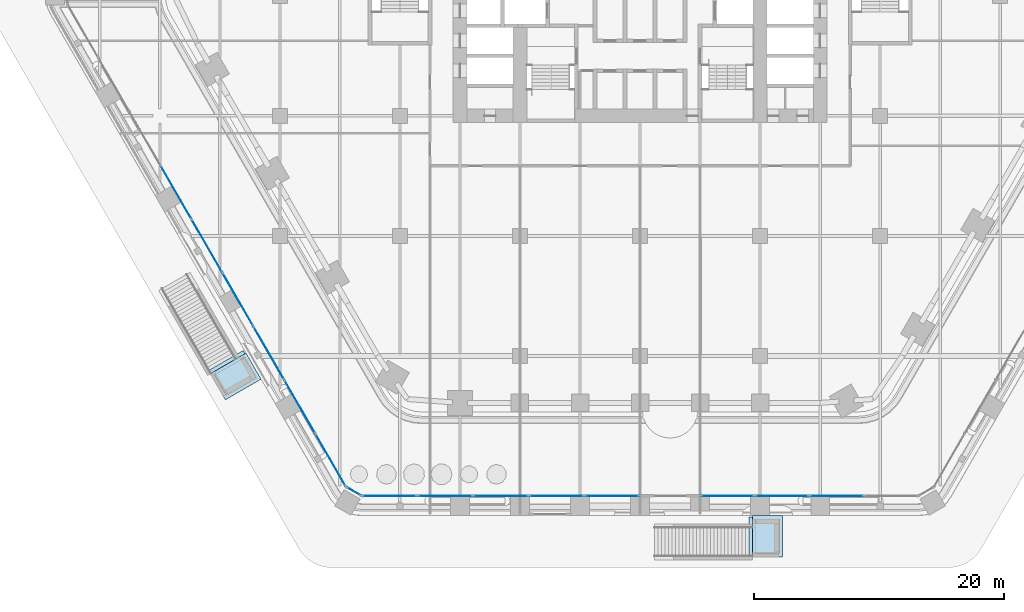
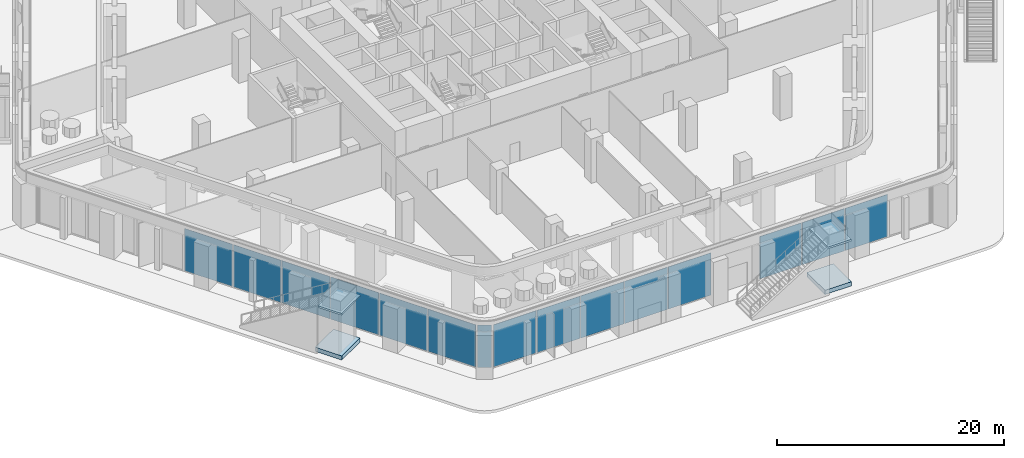
# One storey, part 11 of 34: 15 plates, 4 slabs, 6 elements without a shape of their own.
"""IFC4 building model written with IfcOpenShell, lengths in metres."""

from ifc_helpers import new_model, si_unit, direction, frame, origin, origin_2d, place, context, subcontext, project, spatial, polyline, rectangle, outline, extrude, material, layer, layer_set, type_object, element, aggregate, save


model = new_model("IFC4")

# Units and contexts
model_context = context("Model", 3, precision=1e-05, world=origin(), true_north=direction((0.0, 1.0)))
body_context = subcontext(model_context, "Body", "Model", "MODEL_VIEW")
ifc_project = project(units=[si_unit("LENGTHUNIT", "METRE"), si_unit("AREAUNIT", "SQUARE_METRE"), si_unit("VOLUMEUNIT", "CUBIC_METRE"), si_unit("PLANEANGLEUNIT", "RADIAN"), si_unit("MASSUNIT", "GRAM", prefix="KILO")], contexts=[model_context])

# Site, building, storey
site_placement = place(None, origin())
site = spatial("IfcSite", under=ifc_project, at=site_placement, CompositionType="ELEMENT")
building_placement = place(site_placement, origin())
building = spatial("IfcBuilding", under=site, at=building_placement, Name="Kolab Exchange Tower", CompositionType="ELEMENT")
storey_placement = place(building_placement, frame((0.0, 0.0, 12.39990234375)))
storey = spatial("IfcBuildingStorey", under=building, at=storey_placement, Name="L02", CompositionType="ELEMENT", Elevation=12.39990234375)

# Stair, slab
ifc_material_1 = material(Name="Concrete C40/50", Category="concrete")
stair_type = type_object("IfcStairType", Name="GARDEN STAIR RUN A", PredefinedType="STRAIGHT_RUN_STAIR", material=ifc_material_1)
stair_1_placement = place(storey_placement, origin())
stair_1 = element("IfcStair", 1, at=stair_1_placement, inside=storey, type_object=stair_type, Name="Garden stair GS4 run A", PredefinedType="STRAIGHT_RUN_STAIR")
ifc_layer_1 = layer(ifc_material_1, 0.199951171875)
ifc_layer_set_1 = layer_set([ifc_layer_1], Name="Concrete C40/50")
slab_type_1 = type_object("IfcSlabType", Name="GARDEN STAIR LANDING 200", PredefinedType="LANDING", material=ifc_layer_set_1)
slab_1_placement = place(storey_placement, frame((0.0, 0.0, 4.800048828125)))
slab_1 = element("IfcSlab", 2, at=slab_1_placement, type_object=slab_type_1, Name="GS4 landing 1", PredefinedType="LANDING", context=body_context, shape_type="SweptSolid", body=[
    extrude(outline(polyline([(11.39990234375, -41.5693359375), (8.9951171875, -41.5693359375), (8.9951171875, -44.869140625), (11.39990234375, -44.869140625), (11.39990234375, -41.5693359375)])), origin(), (0.0, 0.0, 1.0), 0.199951171875),
])
aggregate(stair_1, [slab_1])

stair_2_placement = place(storey_placement, origin())
stair_2 = element("IfcStair", 3, at=stair_2_placement, inside=storey, type_object=stair_type, Name="Garden stair GS5 run A", PredefinedType="STRAIGHT_RUN_STAIR")
slab_2_placement = place(storey_placement, frame((0.0, 0.0, 4.800048828125)))
slab_2 = element("IfcSlab", 4, at=slab_2_placement, type_object=slab_type_1, Name="GS5 landing 1", PredefinedType="LANDING", context=body_context, shape_type="SweptSolid", body=[
    extrude(outline(polyline([(-30.300048828125, -30.6572265625), (-31.50244140625, -28.574462890625), (-34.3603515625, -30.224609375), (-33.157958984375, -32.307373046875), (-30.300048828125, -30.6572265625)])), origin(), (0.0, 0.0, 1.0), 0.199951171875),
])
aggregate(stair_2, [slab_2])

# Curtain wall, plates
ifc_material_2 = material(Name="Aluminium EN AW-6063 T6", Category="aluminium")
curtain_wall_type = type_object("IfcCurtainWallType", Name="PODIUM STRUCTURAL GLAZING CURTAIN WALL", PredefinedType="NOTDEFINED", material=ifc_material_2)
curtain_wall_1_placement = place(storey_placement, origin())
curtain_wall_1 = element("IfcCurtainWall", 5, at=curtain_wall_1_placement, inside=storey, type_object=curtain_wall_type, Name="cw/L02/F4-1", PredefinedType="NOTDEFINED")
ifc_material_3 = material(Name="Clear insulated glazing unit", Category="glass")
ifc_layer_2 = layer(ifc_material_3, 0.035888671875)
ifc_layer_set_2 = layer_set([ifc_layer_2], Name="Clear insulated glazing unit")
plate_type = type_object("IfcPlateType", Name="PODIUM STRUCTURAL GLAZING GLASS PANEL 36", PredefinedType="CURTAIN_PANEL", material=ifc_layer_set_2)
plate_1_placement = place(storey_placement, frame((15.717529296875, -39.9892578125, 0.080078125), z_axis=(0.0, 0.0, 1.0), x_axis=(-1.0, 0.0, 0.0)))
plate_1 = element("IfcPlate", 6, at=plate_1_placement, type_object=plate_type, Name="CW5 panel 2.1", PredefinedType="CURTAIN_PANEL", context=body_context, shape_type="SweptSolid", body=[
    extrude(rectangle(XDim=4.286865234375, YDim=0.035888671875, at=origin_2d()), origin(), (0.0, 0.0, 1.0), 4.5400390625),
])
plate_2_placement = place(storey_placement, frame((11.3505859375, -39.9892578125, 0.080078125), z_axis=(0.0, 0.0, 1.0), x_axis=(-1.0, 0.0, 0.0)))
plate_2 = element("IfcPlate", 7, at=plate_2_placement, type_object=plate_type, Name="CW5 panel 3.1", PredefinedType="CURTAIN_PANEL", context=body_context, shape_type="SweptSolid", body=[
    extrude(rectangle(XDim=4.286865234375, YDim=0.035888671875, at=origin_2d()), origin(), (0.0, 0.0, 1.0), 4.5400390625),
])
plate_3_placement = place(storey_placement, frame((7.00341796875, -39.9892578125, 0.080078125), z_axis=(0.0, 0.0, 1.0), x_axis=(-1.0, 0.0, 0.0)))
plate_3 = element("IfcPlate", 8, at=plate_3_placement, type_object=plate_type, Name="CW5 panel 4.1", PredefinedType="CURTAIN_PANEL", context=body_context, shape_type="SweptSolid", body=[
    extrude(rectangle(XDim=4.2470703125, YDim=0.035888671875, at=origin_2d()), origin(), (0.0, 0.0, 1.0), 4.5400390625),
])
aggregate(curtain_wall_1, [plate_1, plate_2, plate_3])

curtain_wall_2_placement = place(storey_placement, origin())
curtain_wall_2 = element("IfcCurtainWall", 9, at=curtain_wall_2_placement, inside=storey, type_object=curtain_wall_type, Name="cw/L02/F4-2", PredefinedType="NOTDEFINED")
plate_4_placement = place(storey_placement, frame((-2.246826171875, -39.9892578125, 0.080078125), z_axis=(0.0, 0.0, 1.0), x_axis=(-1.0, 0.0, 0.0)))
plate_4 = element("IfcPlate", 10, at=plate_4_placement, type_object=plate_type, Name="CW5 panel 1.1", PredefinedType="CURTAIN_PANEL", context=body_context, shape_type="SweptSolid", body=[
    extrude(rectangle(XDim=4.33349609375, YDim=0.035888671875, at=origin_2d()), origin(), (0.0, 0.0, 1.0), 4.5400390625),
])
plate_5_placement = place(storey_placement, frame((-6.680419921875, -39.9892578125, 0.080078125), z_axis=(0.0, 0.0, 1.0), x_axis=(-1.0, 0.0, 0.0)))
plate_5 = element("IfcPlate", 11, at=plate_5_placement, type_object=plate_type, Name="CW5 panel 2.1", PredefinedType="CURTAIN_PANEL", context=body_context, shape_type="SweptSolid", body=[
    extrude(rectangle(XDim=4.37353515625, YDim=0.035888671875, at=origin_2d()), origin(), (0.0, 0.0, 1.0), 4.5400390625),
])
plate_6_placement = place(storey_placement, frame((-11.134033203125, -39.9892578125, 0.080078125), z_axis=(0.0, 0.0, 1.0), x_axis=(-1.0, 0.0, 0.0)))
plate_6 = element("IfcPlate", 12, at=plate_6_placement, type_object=plate_type, Name="CW5 panel 3.1", PredefinedType="CURTAIN_PANEL", context=body_context, shape_type="SweptSolid", body=[
    extrude(rectangle(XDim=4.37353515625, YDim=0.035888671875, at=origin_2d()), origin(), (0.0, 0.0, 1.0), 4.5400390625),
])
plate_7_placement = place(storey_placement, frame((-15.587646484375, -39.9892578125, 0.080078125), z_axis=(0.0, 0.0, 1.0), x_axis=(-1.0, 0.0, 0.0)))
plate_7 = element("IfcPlate", 13, at=plate_7_placement, type_object=plate_type, Name="CW5 panel 4.1", PredefinedType="CURTAIN_PANEL", context=body_context, shape_type="SweptSolid", body=[
    extrude(rectangle(XDim=4.37353515625, YDim=0.035888671875, at=origin_2d()), origin(), (0.0, 0.0, 1.0), 4.5400390625),
])
plate_8_placement = place(storey_placement, frame((-20.021240234375, -39.9892578125, 0.080078125), z_axis=(0.0, 0.0, 1.0), x_axis=(-1.0, 0.0, 0.0)))
plate_8 = element("IfcPlate", 14, at=plate_8_placement, type_object=plate_type, Name="CW5 panel 5.1", PredefinedType="CURTAIN_PANEL", context=body_context, shape_type="SweptSolid", body=[
    extrude(rectangle(XDim=4.33349609375, YDim=0.035888671875, at=origin_2d()), origin(), (0.0, 0.0, 1.0), 4.5400390625),
])
aggregate(curtain_wall_2, [plate_4, plate_5, plate_6, plate_7, plate_8])

curtain_wall_3_placement = place(storey_placement, origin())
curtain_wall_3 = element("IfcCurtainWall", 15, at=curtain_wall_3_placement, inside=storey, type_object=curtain_wall_type, Name="cw/L02/F5-1", PredefinedType="NOTDEFINED")
plate_9_placement = place(storey_placement, frame((-24.744873046875, -37.119140625, 0.080078125), z_axis=(0.0, 0.0, 1.0), x_axis=(-0.500000000469, 0.866025403514, 0.0)))
plate_9 = element("IfcPlate", 16, at=plate_9_placement, type_object=plate_type, Name="CW5 panel 1.1", PredefinedType="CURTAIN_PANEL", context=body_context, shape_type="SweptSolid", body=[
    extrude(rectangle(XDim=4.828369140625, YDim=0.035888671875, at=origin_2d()), origin(), (0.0, 0.0, 1.0), 4.5400390625),
])
plate_10_placement = place(storey_placement, frame((-27.208984375, -32.85107421875, 0.080078125), z_axis=(0.0, 0.0, 1.0), x_axis=(-0.500000000469, 0.866025403514, 0.0)))
plate_10 = element("IfcPlate", 17, at=plate_10_placement, type_object=plate_type, Name="CW5 panel 2.1", PredefinedType="CURTAIN_PANEL", context=body_context, shape_type="SweptSolid", body=[
    extrude(rectangle(XDim=4.868408203125, YDim=0.035888671875, at=origin_2d()), origin(), (0.0, 0.0, 1.0), 4.5400390625),
])
plate_11_placement = place(storey_placement, frame((-29.683349609375, -28.5654296875, 0.080078125), z_axis=(0.0, 0.0, 1.0), x_axis=(-0.500000000469, 0.866025403514, 0.0)))
plate_11 = element("IfcPlate", 18, at=plate_11_placement, type_object=plate_type, Name="CW5 panel 3.1", PredefinedType="CURTAIN_PANEL", context=body_context, shape_type="SweptSolid", body=[
    extrude(rectangle(XDim=4.868408203125, YDim=0.035888671875, at=origin_2d()), origin(), (0.0, 0.0, 1.0), 4.5400390625),
])
plate_12_placement = place(storey_placement, frame((-32.157470703125, -24.280029296875, 0.080078125), z_axis=(0.0, 0.0, 1.0), x_axis=(-0.500000000469, 0.866025403514, 0.0)))
plate_12 = element("IfcPlate", 19, at=plate_12_placement, type_object=plate_type, Name="CW5 panel 4.1", PredefinedType="CURTAIN_PANEL", context=body_context, shape_type="SweptSolid", body=[
    extrude(rectangle(XDim=4.868408203125, YDim=0.035888671875, at=origin_2d()), origin(), (0.0, 0.0, 1.0), 4.5400390625),
])
plate_13_placement = place(storey_placement, frame((-34.631591796875, -19.99462890625, 0.080078125), z_axis=(0.0, 0.0, 1.0), x_axis=(-0.500000000469, 0.866025403514, 0.0)))
plate_13 = element("IfcPlate", 20, at=plate_13_placement, type_object=plate_type, Name="CW5 panel 5.1", PredefinedType="CURTAIN_PANEL", context=body_context, shape_type="SweptSolid", body=[
    extrude(rectangle(XDim=4.868408203125, YDim=0.035888671875, at=origin_2d()), origin(), (0.0, 0.0, 1.0), 4.5400390625),
])
plate_14_placement = place(storey_placement, frame((-37.10595703125, -15.709228515625, 0.080078125), z_axis=(0.0, 0.0, 1.0), x_axis=(-0.500000000469, 0.866025403514, 0.0)))
plate_14 = element("IfcPlate", 21, at=plate_14_placement, type_object=plate_type, Name="CW5 panel 6.1", PredefinedType="CURTAIN_PANEL", context=body_context, shape_type="SweptSolid", body=[
    extrude(rectangle(XDim=4.868408203125, YDim=0.035888671875, at=origin_2d()), origin(), (0.0, 0.0, 1.0), 4.5400390625),
])
aggregate(curtain_wall_3, [plate_9, plate_10, plate_11, plate_12, plate_13, plate_14])

# Curtain wall, plate
curtain_wall_4_placement = place(storey_placement, origin())
curtain_wall_4 = element("IfcCurtainWall", 22, at=curtain_wall_4_placement, inside=storey, type_object=curtain_wall_type, Name="cw/L02/F4F5-corner", PredefinedType="NOTDEFINED")
plate_15_placement = place(storey_placement, frame((-22.8828125, -39.63427734375, 0.080078125), z_axis=(0.0, 0.0, 1.0), x_axis=(-0.866025390869, 0.50000002237, 0.0)))
plate_15 = element("IfcPlate", 23, at=plate_15_placement, type_object=plate_type, Name="CW5 panel 1.1", PredefinedType="CURTAIN_PANEL", context=body_context, shape_type="SweptSolid", body=[
    extrude(rectangle(XDim=1.260009765625, YDim=0.035888671875, at=origin_2d()), origin(), (0.0, 0.0, 1.0), 4.5400390625),
])
aggregate(curtain_wall_4, [plate_15])

# Slabs
ifc_layer_3 = layer(ifc_material_1, 0.449951171875)
ifc_layer_set_3 = layer_set([ifc_layer_3], Name="Concrete C40/50")
slab_type_2 = type_object("IfcSlabType", Name="STAIR PIER PLINTH 450", PredefinedType="FLOOR", material=ifc_layer_set_3)
slab_3_placement = place(storey_placement, origin())
element("IfcSlab", 24, at=slab_3_placement, inside=storey, type_object=slab_type_2, Name="Stair pier plinth", PredefinedType="FLOOR", context=body_context, shape_type="SweptSolid", body=[
    extrude(outline(polyline([(11.39990234375, -41.669189453125), (8.699951171875, -41.669189453125), (8.699951171875, -44.869140625), (11.39990234375, -44.869140625), (11.39990234375, -41.669189453125)])), origin(), (0.0, 0.0, 1.0), 0.4501953125),
])
slab_4_placement = place(storey_placement, origin())
element("IfcSlab", 25, at=slab_4_placement, inside=storey, type_object=slab_type_2, Name="Stair pier plinth", PredefinedType="FLOOR", context=body_context, shape_type="SweptSolid", body=[
    extrude(outline(polyline([(-30.38671875, -30.707275390625), (-31.736572265625, -28.369140625), (-34.5078125, -29.968994140625), (-33.157958984375, -32.307373046875), (-30.38671875, -30.707275390625)])), origin(), (0.0, 0.0, 1.0), 0.4501953125),
])

save(model, "model.ifc")
